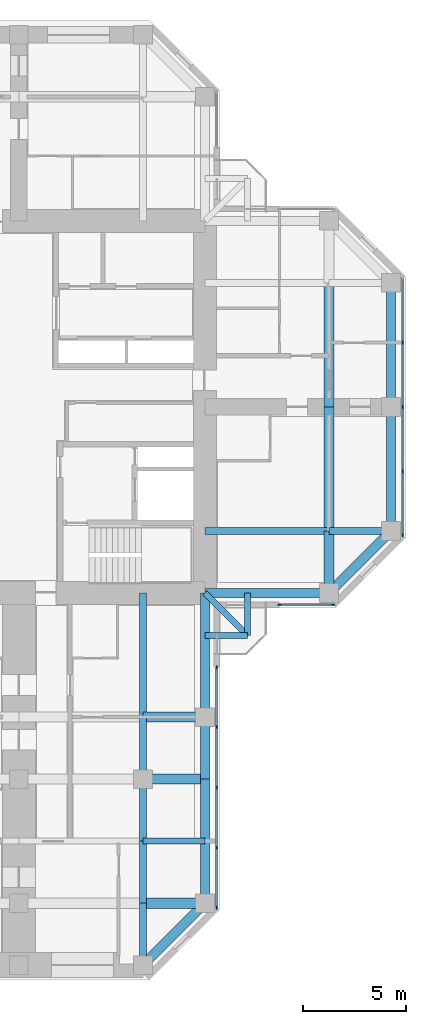
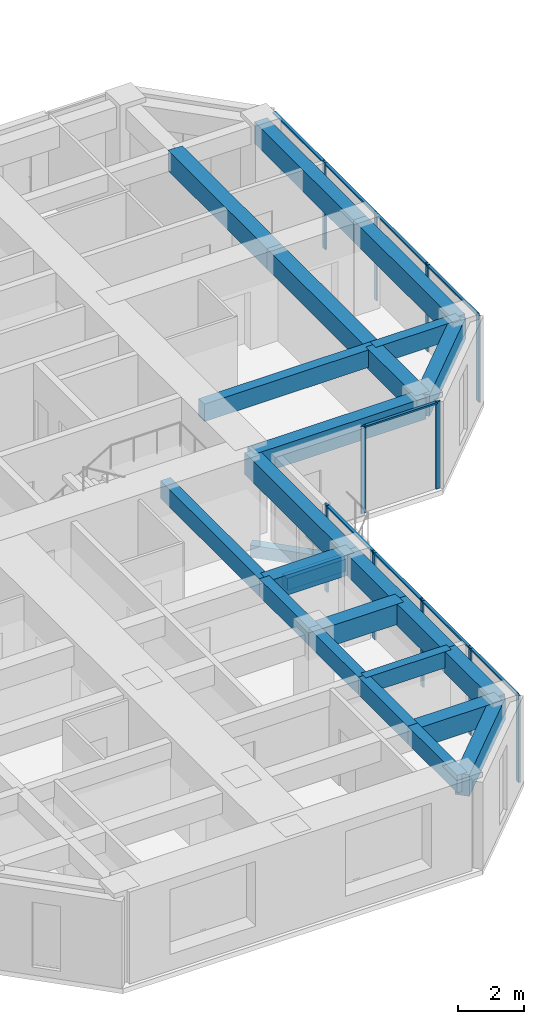
# One storey, part 4 of 14: 26 beams, 20 members, 3 elements without a shape of their own.
"""IFC4 building model written with IfcOpenShell, lengths in metres."""

from ifc_helpers import new_model, si_unit, direction, frame, origin, origin_2d, place, context, subcontext, project, spatial, rectangle, extrude, material, material_profile, profile_set, type_object, element, aggregate, save


model = new_model("IFC4")

# Units and contexts
model_context = context("Model", 3, precision=1e-05, world=origin(), true_north=direction((0.0, 1.0)))
body_context = subcontext(model_context, "Body", "Model", "MODEL_VIEW")
ifc_project = project(units=[si_unit("LENGTHUNIT", "METRE"), si_unit("AREAUNIT", "SQUARE_METRE"), si_unit("VOLUMEUNIT", "CUBIC_METRE"), si_unit("PLANEANGLEUNIT", "RADIAN"), si_unit("MASSUNIT", "GRAM", prefix="KILO")], contexts=[model_context])

# Site, building, storey
site_placement = place(None, origin())
site = spatial("IfcSite", under=ifc_project, at=site_placement, CompositionType="ELEMENT")
building_placement = place(site_placement, origin())
building = spatial("IfcBuilding", under=site, at=building_placement, Name="Torre Cruceta", CompositionType="ELEMENT")
storey_placement = place(building_placement, frame((0.0, 0.0, 200.10009765625)))
storey = spatial("IfcBuildingStorey", under=building, at=storey_placement, Name="L50", CompositionType="ELEMENT", Elevation=200.10009765625)

# Beams
ifc_material_1 = material(Name="Concrete G60 (fck 60 MPa)", Category="concrete")
ifc_material_profile_1 = material_profile(ifc_material_1, rectangle(XDim=0.300048828125, YDim=0.449951171875, at=origin_2d()), Name="RC 300X450")
ifc_profile_set_1 = profile_set([ifc_material_profile_1], Name="Concrete G60 (fck 60 MPa)")
beam_type_1 = type_object("IfcBeamType", Name="BALCONY CANTILEVER BEAM RC 300X450", PredefinedType="BEAM", material=ifc_profile_set_1)
beam_1_placement = place(storey_placement, frame((9.0, -9.0, -0.405029296875), z_axis=(0.707106781187, -0.707106781187, 0.0), x_axis=(0.707106781187, 0.707106781187, 0.0)))
element("IfcBeam", 1, at=beam_1_placement, inside=storey, type_object=beam_type_1, Name="BB1 balcony beam L50 S", PredefinedType="BEAM", context=body_context, shape_type="SweptSolid", body=[
    extrude(rectangle(XDim=0.300048828125, YDim=0.449951171875, at=origin_2d()), origin(), (0.0, 0.0, 1.0), 2.89990234375),
])
for number, where, z_axis, x_axis, name in (
    (2, (11.050537109375, -9.0, -0.405029296875), (0.0, -1.0, 0.0), (1.0, 0.0, 0.0), "BB1 balcony edge beam L50 S-X"),
    (3, (9.0, -11.050537109375, -0.405029296875), (1.0, 0.0, 0.0), (0.0, 1.0, 0.0), "BB1 balcony edge beam L50 S-Y"),
):
    element("IfcBeam", number, at=place(storey_placement, frame(where, z_axis=z_axis, x_axis=x_axis)), inside=storey, type_object=beam_type_1, Name=name, PredefinedType="BEAM", context=body_context, shape_type="SweptSolid", body=[
        extrude(rectangle(XDim=0.300048828125, YDim=0.449951171875, at=origin_2d()), origin(), (0.0, 0.0, 1.0), 2.050537109375),
    ])
ifc_material_2 = material(Name="Concrete G60 (fck 60 MPa)", Category="concrete")
ifc_material_profile_2 = material_profile(ifc_material_2, rectangle(XDim=0.35009765625, YDim=0.64990234375, at=origin_2d()), Name="RC 350X650")
ifc_profile_set_2 = profile_set([ifc_material_profile_2], Name="Concrete G60 (fck 60 MPa)")
beam_type_2 = type_object("IfcBeamType", Name="COLUMN LINE BEAM RC 350X650", PredefinedType="BEAM", material=ifc_profile_set_2)
beam_2_placement = place(storey_placement, frame((9.0, -6.0, 2.89501953125), z_axis=(1.0, 0.0, 0.0), x_axis=(0.0, 1.0, 0.0)))
element("IfcBeam", 4, at=beam_2_placement, inside=storey, type_object=beam_type_2, Name="LB7 L50 E col- 1", PredefinedType="BEAM", context=body_context, shape_type="SweptSolid", body=[
    extrude(rectangle(XDim=0.35009765625, YDim=0.64990234375, at=origin_2d()), origin(), (0.0, 0.0, 1.0), 6.0),
])
beam_3_placement = place(storey_placement, frame((15.0, -6.0, 2.89501953125), z_axis=(1.0, 0.0, 0.0), x_axis=(0.0, 1.0, 0.0)))
element("IfcBeam", 5, at=beam_3_placement, inside=storey, type_object=beam_type_2, Name="LB7 L50 E col- 2", PredefinedType="BEAM", context=body_context, shape_type="SweptSolid", body=[
    extrude(rectangle(XDim=0.35009765625, YDim=0.64990234375, at=origin_2d()), origin(), (0.0, 0.0, 1.0), 3.0),
])
beam_4_placement = place(storey_placement, frame((6.0, -9.0, 2.89501953125), z_axis=(0.0, -1.0, 0.0), x_axis=(1.0, 0.0, 0.0)))
element("IfcBeam", 6, at=beam_4_placement, inside=storey, type_object=beam_type_2, Name="LB7 L50 S col+ 1", PredefinedType="BEAM", context=body_context, shape_type="SweptSolid", body=[
    extrude(rectangle(XDim=0.35009765625, YDim=0.64990234375, at=origin_2d()), origin(), (0.0, 0.0, 1.0), 6.0),
])
for number, where, z_axis, x_axis, name in (
    (7, (6.0, -15.0, 2.89501953125), (0.0, -1.0, 0.0), (1.0, 0.0, 0.0), "LB7 L50 S col+ 2"),
    (8, (6.0, -18.0, 2.89501953125), (0.0, -1.0, 0.0), (1.0, 0.0, 0.0), "LB7 L50 S col+ 3"),
    (9, (6.0, -21.0, 2.89501953125), (0.0, -1.0, 0.0), (1.0, 0.0, 0.0), "LB7 L50 S col+ 4"),
    (10, (6.0, -24.0, 2.89501953125), (0.0, -1.0, 0.0), (1.0, 0.0, 0.0), "LB7 L50 S col+ 5"),
):
    element("IfcBeam", number, at=place(storey_placement, frame(where, z_axis=z_axis, x_axis=x_axis)), inside=storey, type_object=beam_type_2, Name=name, PredefinedType="BEAM", context=body_context, shape_type="SweptSolid", body=[
        extrude(rectangle(XDim=0.35009765625, YDim=0.64990234375, at=origin_2d()), origin(), (0.0, 0.0, 1.0), 3.0),
    ])
ifc_material_3 = material(Name="Concrete G60 (fck 60 MPa)", Category="concrete")
ifc_material_profile_3 = material_profile(ifc_material_3, rectangle(XDim=0.5, YDim=0.75, at=origin_2d()), Name="RC 500X750")
ifc_profile_set_3 = profile_set([ifc_material_profile_3], Name="Concrete G60 (fck 60 MPa)")
beam_type_3 = type_object("IfcBeamType", Name="CROSS BEAM RC 500X750", PredefinedType="BEAM", material=ifc_profile_set_3)
beam_5_placement = place(storey_placement, frame((15.0, -9.0, 2.844970703125), z_axis=(0.0, 1.0, 0.0), x_axis=(-1.0, 0.0, 0.0)))
element("IfcBeam", 11, at=beam_5_placement, inside=storey, type_object=beam_type_3, Name="GB6 L50 E cross15 1", PredefinedType="BEAM", context=body_context, shape_type="SweptSolid", body=[
    extrude(rectangle(XDim=0.5, YDim=0.75, at=origin_2d()), origin(), (0.0, 0.0, 1.0), 3.0),
])
for number, where, z_axis, x_axis, name in (
    (12, (15.0, -6.0, 2.844970703125), (0.0, 1.0, 0.0), (-1.0, 0.0, 0.0), "GB6 L50 E cross15 2"),
    (13, (15.0, 0.0, 2.844970703125), (0.0, 1.0, 0.0), (-1.0, 0.0, 0.0), "GB6 L50 E cross15 3"),
):
    element("IfcBeam", number, at=place(storey_placement, frame(where, z_axis=z_axis, x_axis=x_axis)), inside=storey, type_object=beam_type_3, Name=name, PredefinedType="BEAM", context=body_context, shape_type="SweptSolid", body=[
        extrude(rectangle(XDim=0.5, YDim=0.75, at=origin_2d()), origin(), (0.0, 0.0, 1.0), 6.0),
    ])
for number, where, z_axis, x_axis, name in (
    (14, (6.0, -15.0, 2.844970703125), (1.0, 0.0, 0.0), (0.0, 1.0, 0.0), "GB6 L50 S cross15 4"),
    (15, (6.0, -18.0, 2.844970703125), (1.0, 0.0, 0.0), (0.0, 1.0, 0.0), "GB6 L50 S cross18 4"),
    (16, (6.0, -24.0, 2.844970703125), (1.0, 0.0, 0.0), (0.0, 1.0, 0.0), "GB6 L50 S cross24 4"),
):
    element("IfcBeam", number, at=place(storey_placement, frame(where, z_axis=z_axis, x_axis=x_axis)), inside=storey, type_object=beam_type_3, Name=name, PredefinedType="BEAM", context=body_context, shape_type="SweptSolid", body=[
        extrude(rectangle(XDim=0.5, YDim=0.75, at=origin_2d()), origin(), (0.0, 0.0, 1.0), 3.0),
    ])

# Curtain wall, members
ifc_material_4 = material(Name="Aluminium unitised curtain wall", Category="aluminium")
curtain_wall_type = type_object("IfcCurtainWallType", Name="CURTAIN WALL CW-C CO-LIVING", PredefinedType="USERDEFINED", material=ifc_material_4)
curtain_wall_1_placement = place(storey_placement, origin())
curtain_wall_1 = element("IfcCurtainWall", 17, at=curtain_wall_1_placement, inside=storey, type_object=curtain_wall_type, Name="CW-C L50 E side 00", ObjectType="UNITISED", PredefinedType="USERDEFINED")
ifc_material_5 = material(Name="Aluminium mullion", Category="aluminium")
ifc_material_profile_4 = material_profile(ifc_material_5, rectangle(XDim=0.06005859375, YDim=0.159912109375, at=origin_2d()), Name="AL 60X160")
ifc_profile_set_4 = profile_set([ifc_material_profile_4], Name="Aluminium mullion")
member_type_1 = type_object("IfcMemberType", Name="CW-C MULLION 60X160", PredefinedType="MULLION", material=ifc_profile_set_4)
member_1_placement = place(storey_placement, frame((12.60009765625, -9.570068359375, 0.0), z_axis=(0.0, 0.0, 1.0), x_axis=(0.0, 1.0, 0.0)))
member_1 = element("IfcMember", 18, at=member_1_placement, type_object=member_type_1, Name="CW-C mullion 1", PredefinedType="MULLION", context=body_context, shape_type="SweptSolid", body=[
    extrude(rectangle(XDim=0.06005859375, YDim=0.159912109375, at=origin_2d()), origin(), (0.0, 0.0, 1.0), 3.219970703125),
])
member_2_placement = place(storey_placement, frame((15.2060546875, -9.570068359375, 0.0), z_axis=(0.0, 0.0, 1.0), x_axis=(0.0, 1.0, 0.0)))
member_2 = element("IfcMember", 19, at=member_2_placement, type_object=member_type_1, Name="CW-C mullion 2", PredefinedType="MULLION", context=body_context, shape_type="SweptSolid", body=[
    extrude(rectangle(XDim=0.06005859375, YDim=0.159912109375, at=origin_2d()), origin(), (0.0, 0.0, 1.0), 3.219970703125),
])

curtain_wall_2_placement = place(storey_placement, origin())
curtain_wall_2 = element("IfcCurtainWall", 20, at=curtain_wall_2_placement, inside=storey, type_object=curtain_wall_type, Name="CW-C L50 E tip 02", ObjectType="UNITISED", PredefinedType="USERDEFINED")
member_3_placement = place(storey_placement, frame((18.570068359375, -6.2060546875, 0.0), z_axis=(0.0, 0.0, 1.0), x_axis=(-1.0, 0.0, 0.0)))
member_3 = element("IfcMember", 21, at=member_3_placement, type_object=member_type_1, Name="CW-C mullion 1", PredefinedType="MULLION", context=body_context, shape_type="SweptSolid", body=[
    extrude(rectangle(XDim=0.06005859375, YDim=0.159912109375, at=origin_2d()), origin(), (0.0, 0.0, 1.0), 3.219970703125),
])
member_4_placement = place(storey_placement, frame((18.570068359375, -3.1181640625, 0.0), z_axis=(0.0, 0.0, 1.0), x_axis=(-1.0, 0.0, 0.0)))
member_4 = element("IfcMember", 22, at=member_4_placement, type_object=member_type_1, Name="CW-C mullion 2", PredefinedType="MULLION", context=body_context, shape_type="SweptSolid", body=[
    extrude(rectangle(XDim=0.06005859375, YDim=0.159912109375, at=origin_2d()), origin(), (0.0, 0.0, 1.0), 3.219970703125),
])
member_5_placement = place(storey_placement, frame((18.570068359375, 0.0, 0.0), z_axis=(0.0, 0.0, 1.0), x_axis=(-1.0, 0.0, 0.0)))
member_5 = element("IfcMember", 23, at=member_5_placement, type_object=member_type_1, Name="CW-C mullion 3", PredefinedType="MULLION", context=body_context, shape_type="SweptSolid", body=[
    extrude(rectangle(XDim=0.06005859375, YDim=0.159912109375, at=origin_2d()), origin(), (0.0, 0.0, 1.0), 3.219970703125),
])
member_6_placement = place(storey_placement, frame((18.570068359375, 3.1181640625, 0.0), z_axis=(0.0, 0.0, 1.0), x_axis=(-1.0, 0.0, 0.0)))
member_6 = element("IfcMember", 24, at=member_6_placement, type_object=member_type_1, Name="CW-C mullion 4", PredefinedType="MULLION", context=body_context, shape_type="SweptSolid", body=[
    extrude(rectangle(XDim=0.06005859375, YDim=0.159912109375, at=origin_2d()), origin(), (0.0, 0.0, 1.0), 3.219970703125),
])

curtain_wall_3_placement = place(storey_placement, origin())
curtain_wall_3 = element("IfcCurtainWall", 25, at=curtain_wall_3_placement, inside=storey, type_object=curtain_wall_type, Name="CW-C L50 S side 19", ObjectType="UNITISED", PredefinedType="USERDEFINED")
member_7_placement = place(storey_placement, frame((9.570068359375, -24.2060546875, 0.0), z_axis=(0.0, 0.0, 1.0), x_axis=(-1.0, 0.0, 0.0)))
member_7 = element("IfcMember", 26, at=member_7_placement, type_object=member_type_1, Name="CW-C mullion 1", PredefinedType="MULLION", context=body_context, shape_type="SweptSolid", body=[
    extrude(rectangle(XDim=0.06005859375, YDim=0.159912109375, at=origin_2d()), origin(), (0.0, 0.0, 1.0), 3.219970703125),
])
member_8_placement = place(storey_placement, frame((9.570068359375, -21.319580078125, 0.0), z_axis=(0.0, 0.0, 1.0), x_axis=(-1.0, 0.0, 0.0)))
member_8 = element("IfcMember", 27, at=member_8_placement, type_object=member_type_1, Name="CW-C mullion 2", PredefinedType="MULLION", context=body_context, shape_type="SweptSolid", body=[
    extrude(rectangle(XDim=0.06005859375, YDim=0.159912109375, at=origin_2d()), origin(), (0.0, 0.0, 1.0), 3.219970703125),
])
member_9_placement = place(storey_placement, frame((9.570068359375, -18.403076171875, 0.0), z_axis=(0.0, 0.0, 1.0), x_axis=(-1.0, 0.0, 0.0)))
member_9 = element("IfcMember", 28, at=member_9_placement, type_object=member_type_1, Name="CW-C mullion 3", PredefinedType="MULLION", context=body_context, shape_type="SweptSolid", body=[
    extrude(rectangle(XDim=0.06005859375, YDim=0.159912109375, at=origin_2d()), origin(), (0.0, 0.0, 1.0), 3.219970703125),
])
member_10_placement = place(storey_placement, frame((9.570068359375, -15.486572265625, 0.0), z_axis=(0.0, 0.0, 1.0), x_axis=(-1.0, 0.0, 0.0)))
member_10 = element("IfcMember", 29, at=member_10_placement, type_object=member_type_1, Name="CW-C mullion 4", PredefinedType="MULLION", context=body_context, shape_type="SweptSolid", body=[
    extrude(rectangle(XDim=0.06005859375, YDim=0.159912109375, at=origin_2d()), origin(), (0.0, 0.0, 1.0), 3.219970703125),
])
member_11_placement = place(storey_placement, frame((9.570068359375, -12.60009765625, 0.0), z_axis=(0.0, 0.0, 1.0), x_axis=(-1.0, 0.0, 0.0)))
member_11 = element("IfcMember", 30, at=member_11_placement, type_object=member_type_1, Name="CW-C mullion 5", PredefinedType="MULLION", context=body_context, shape_type="SweptSolid", body=[
    extrude(rectangle(XDim=0.06005859375, YDim=0.159912109375, at=origin_2d()), origin(), (0.0, 0.0, 1.0), 3.219970703125),
])

# Member
ifc_material_6 = material(Name="Aluminium transom", Category="aluminium")
ifc_material_profile_5 = material_profile(ifc_material_6, rectangle(XDim=0.10009765625, YDim=0.06005859375, at=origin_2d()), Name="AL 100X60")
ifc_profile_set_5 = profile_set([ifc_material_profile_5], Name="Aluminium transom")
member_type_2 = type_object("IfcMemberType", Name="CW-C TRANSOM 60X100", PredefinedType="USERDEFINED", material=ifc_profile_set_5)
member_12_placement = place(storey_placement, frame((12.6298828125, -9.570068359375, 3.18994140625), z_axis=(1.0, 0.0, 0.0), x_axis=(0.0, 1.0, 0.0)))
member_12 = element("IfcMember", 31, at=member_12_placement, type_object=member_type_2, Name="CW-C transom 1", ObjectType="TRANSOM", PredefinedType="USERDEFINED", context=body_context, shape_type="SweptSolid", body=[
    extrude(rectangle(XDim=0.10009765625, YDim=0.06005859375, at=origin_2d()), origin(), (0.0, 0.0, 1.0), 2.546142578125),
])

aggregate(curtain_wall_1, [member_1, member_2, member_12])

member_13_placement = place(storey_placement, frame((18.570068359375, -6.176025390625, 3.18994140625), z_axis=(0.0, 1.0, 0.0), x_axis=(-1.0, 0.0, 0.0)))
member_13 = element("IfcMember", 32, at=member_13_placement, type_object=member_type_2, Name="CW-C transom 1", ObjectType="TRANSOM", PredefinedType="USERDEFINED", context=body_context, shape_type="SweptSolid", body=[
    extrude(rectangle(XDim=0.10009765625, YDim=0.06005859375, at=origin_2d()), origin(), (0.0, 0.0, 1.0), 3.028076171875),
])

member_14_placement = place(storey_placement, frame((18.570068359375, -3.088134765625, 3.18994140625), z_axis=(0.0, 1.0, 0.0), x_axis=(-1.0, 0.0, 0.0)))
member_14 = element("IfcMember", 33, at=member_14_placement, type_object=member_type_2, Name="CW-C transom 2", ObjectType="TRANSOM", PredefinedType="USERDEFINED", context=body_context, shape_type="SweptSolid", body=[
    extrude(rectangle(XDim=0.10009765625, YDim=0.06005859375, at=origin_2d()), origin(), (0.0, 0.0, 1.0), 3.05810546875),
])

member_15_placement = place(storey_placement, frame((18.570068359375, 0.030029296875, 3.18994140625), z_axis=(0.0, 1.0, 0.0), x_axis=(-1.0, 0.0, 0.0)))
member_15 = element("IfcMember", 34, at=member_15_placement, type_object=member_type_2, Name="CW-C transom 3", ObjectType="TRANSOM", PredefinedType="USERDEFINED", context=body_context, shape_type="SweptSolid", body=[
    extrude(rectangle(XDim=0.10009765625, YDim=0.06005859375, at=origin_2d()), origin(), (0.0, 0.0, 1.0), 3.05810546875),
])

member_16_placement = place(storey_placement, frame((18.570068359375, 3.14794921875, 3.18994140625), z_axis=(0.0, 1.0, 0.0), x_axis=(-1.0, 0.0, 0.0)))
member_16 = element("IfcMember", 35, at=member_16_placement, type_object=member_type_2, Name="CW-C transom 4", ObjectType="TRANSOM", PredefinedType="USERDEFINED", context=body_context, shape_type="SweptSolid", body=[
    extrude(rectangle(XDim=0.10009765625, YDim=0.06005859375, at=origin_2d()), origin(), (0.0, 0.0, 1.0), 3.028076171875),
])

aggregate(curtain_wall_2, [member_3, member_4, member_5, member_6, member_13, member_14, member_15, member_16])

member_17_placement = place(storey_placement, frame((9.570068359375, -24.176025390625, 3.18994140625), z_axis=(0.0, 1.0, 0.0), x_axis=(-1.0, 0.0, 0.0)))
member_17 = element("IfcMember", 36, at=member_17_placement, type_object=member_type_2, Name="CW-C transom 1", ObjectType="TRANSOM", PredefinedType="USERDEFINED", context=body_context, shape_type="SweptSolid", body=[
    extrude(rectangle(XDim=0.10009765625, YDim=0.06005859375, at=origin_2d()), origin(), (0.0, 0.0, 1.0), 2.826416015625),
])

member_18_placement = place(storey_placement, frame((9.570068359375, -21.28955078125, 3.18994140625), z_axis=(0.0, 1.0, 0.0), x_axis=(-1.0, 0.0, 0.0)))
member_18 = element("IfcMember", 37, at=member_18_placement, type_object=member_type_2, Name="CW-C transom 2", ObjectType="TRANSOM", PredefinedType="USERDEFINED", context=body_context, shape_type="SweptSolid", body=[
    extrude(rectangle(XDim=0.10009765625, YDim=0.06005859375, at=origin_2d()), origin(), (0.0, 0.0, 1.0), 2.8564453125),
])

member_19_placement = place(storey_placement, frame((9.570068359375, -18.373046875, 3.18994140625), z_axis=(0.0, 1.0, 0.0), x_axis=(-1.0, 0.0, 0.0)))
member_19 = element("IfcMember", 38, at=member_19_placement, type_object=member_type_2, Name="CW-C transom 3", ObjectType="TRANSOM", PredefinedType="USERDEFINED", context=body_context, shape_type="SweptSolid", body=[
    extrude(rectangle(XDim=0.10009765625, YDim=0.06005859375, at=origin_2d()), origin(), (0.0, 0.0, 1.0), 2.8564453125),
])

member_20_placement = place(storey_placement, frame((9.570068359375, -15.45654296875, 3.18994140625), z_axis=(0.0, 1.0, 0.0), x_axis=(-1.0, 0.0, 0.0)))
member_20 = element("IfcMember", 39, at=member_20_placement, type_object=member_type_2, Name="CW-C transom 4", ObjectType="TRANSOM", PredefinedType="USERDEFINED", context=body_context, shape_type="SweptSolid", body=[
    extrude(rectangle(XDim=0.10009765625, YDim=0.06005859375, at=origin_2d()), origin(), (0.0, 0.0, 1.0), 2.82666015625),
])

aggregate(curtain_wall_3, [member_7, member_8, member_9, member_10, member_11, member_17, member_18, member_19, member_20])

# Beams
ifc_material_7 = material(Name="Concrete G60 (fck 60 MPa)", Category="concrete")
ifc_material_profile_6 = material_profile(ifc_material_7, rectangle(XDim=0.300048828125, YDim=0.60009765625, at=origin_2d()), Name="RC 300X600")
ifc_profile_set_6 = profile_set([ifc_material_profile_6], Name="Concrete G60 (fck 60 MPa)")
beam_type_4 = type_object("IfcBeamType", Name="SECONDARY BEAM RC 300X600", PredefinedType="JOIST", material=ifc_profile_set_6)
beam_6_placement = place(storey_placement, frame((6.0, -21.0, 2.919921875), z_axis=(1.0, 0.0, 0.0), x_axis=(0.0, 1.0, 0.0)))
element("IfcBeam", 40, at=beam_6_placement, inside=storey, type_object=beam_type_4, Name="JB6 L50 S sec21 4", PredefinedType="JOIST", context=body_context, shape_type="SweptSolid", body=[
    extrude(rectangle(XDim=0.300048828125, YDim=0.60009765625, at=origin_2d()), origin(), (0.0, 0.0, 1.0), 3.0),
])
ifc_material_8 = material(Name="Concrete G60 (fck 60 MPa)", Category="concrete")
ifc_material_profile_7 = material_profile(ifc_material_8, rectangle(XDim=0.449951171875, YDim=0.800048828125, at=origin_2d()), Name="RC 450X800")
ifc_profile_set_7 = profile_set([ifc_material_profile_7], Name="Concrete G60 (fck 60 MPa)")
beam_type_5 = type_object("IfcBeamType", Name="SPANDREL BEAM RC 450X800", PredefinedType="SPANDREL", material=ifc_profile_set_7)
beam_7_placement = place(storey_placement, frame((9.0, -9.0, 2.81982421875), z_axis=(1.0, 0.0, 0.0), x_axis=(0.0, 1.0, 0.0)))
element("IfcBeam", 41, at=beam_7_placement, inside=storey, type_object=beam_type_5, Name="SB6 L50 E side- 1", PredefinedType="SPANDREL", context=body_context, shape_type="SweptSolid", body=[
    extrude(rectangle(XDim=0.449951171875, YDim=0.800048828125, at=origin_2d()), origin(), (0.0, 0.0, 1.0), 6.0),
])
beam_8_placement = place(storey_placement, frame((15.0, -9.0, 2.81982421875), z_axis=(0.707106781187, 0.707106781187, 0.0), x_axis=(-0.707106781187, 0.707106781187, 0.0)))
element("IfcBeam", 42, at=beam_8_placement, inside=storey, type_object=beam_type_5, Name="SB6 L50 E side- 2", PredefinedType="SPANDREL", context=body_context, shape_type="SweptSolid", body=[
    extrude(rectangle(XDim=0.449951171875, YDim=0.800048828125, at=origin_2d()), origin(), (0.0, 0.0, 1.0), 4.24267578125),
])
for number, where, z_axis, x_axis, name in (
    (43, (18.0, -6.0, 2.81982421875), (0.0, 1.0, 0.0), (-1.0, 0.0, 0.0), "SB6 L50 E tip 1"),
    (44, (18.0, 0.0, 2.81982421875), (0.0, 1.0, 0.0), (-1.0, 0.0, 0.0), "SB6 L50 E tip 2"),
    (45, (9.0, -9.0, 2.81982421875), (0.0, -1.0, 0.0), (1.0, 0.0, 0.0), "SB6 L50 S side+ 1"),
):
    element("IfcBeam", number, at=place(storey_placement, frame(where, z_axis=z_axis, x_axis=x_axis)), inside=storey, type_object=beam_type_5, Name=name, PredefinedType="SPANDREL", context=body_context, shape_type="SweptSolid", body=[
        extrude(rectangle(XDim=0.449951171875, YDim=0.800048828125, at=origin_2d()), origin(), (0.0, 0.0, 1.0), 6.0),
    ])
for number, where, z_axis, x_axis, name in (
    (46, (9.0, -15.0, 2.81982421875), (0.0, -1.0, 0.0), (1.0, 0.0, 0.0), "SB6 L50 S side+ 2"),
    (47, (9.0, -18.0, 2.81982421875), (0.0, -1.0, 0.0), (1.0, 0.0, 0.0), "SB6 L50 S side+ 3"),
    (48, (9.0, -21.0, 2.81982421875), (0.0, -1.0, 0.0), (1.0, 0.0, 0.0), "SB6 L50 S side+ 4"),
):
    element("IfcBeam", number, at=place(storey_placement, frame(where, z_axis=z_axis, x_axis=x_axis)), inside=storey, type_object=beam_type_5, Name=name, PredefinedType="SPANDREL", context=body_context, shape_type="SweptSolid", body=[
        extrude(rectangle(XDim=0.449951171875, YDim=0.800048828125, at=origin_2d()), origin(), (0.0, 0.0, 1.0), 3.0),
    ])
beam_9_placement = place(storey_placement, frame((9.0, -24.0, 2.81982421875), z_axis=(-0.707106781187, -0.707106781187, 0.0), x_axis=(0.707106781187, -0.707106781187, 0.0)))
element("IfcBeam", 49, at=beam_9_placement, inside=storey, type_object=beam_type_5, Name="SB6 L50 S side+ 5", PredefinedType="SPANDREL", context=body_context, shape_type="SweptSolid", body=[
    extrude(rectangle(XDim=0.449951171875, YDim=0.800048828125, at=origin_2d()), origin(), (0.0, 0.0, 1.0), 4.24267578125),
])

save(model, "model.ifc")
